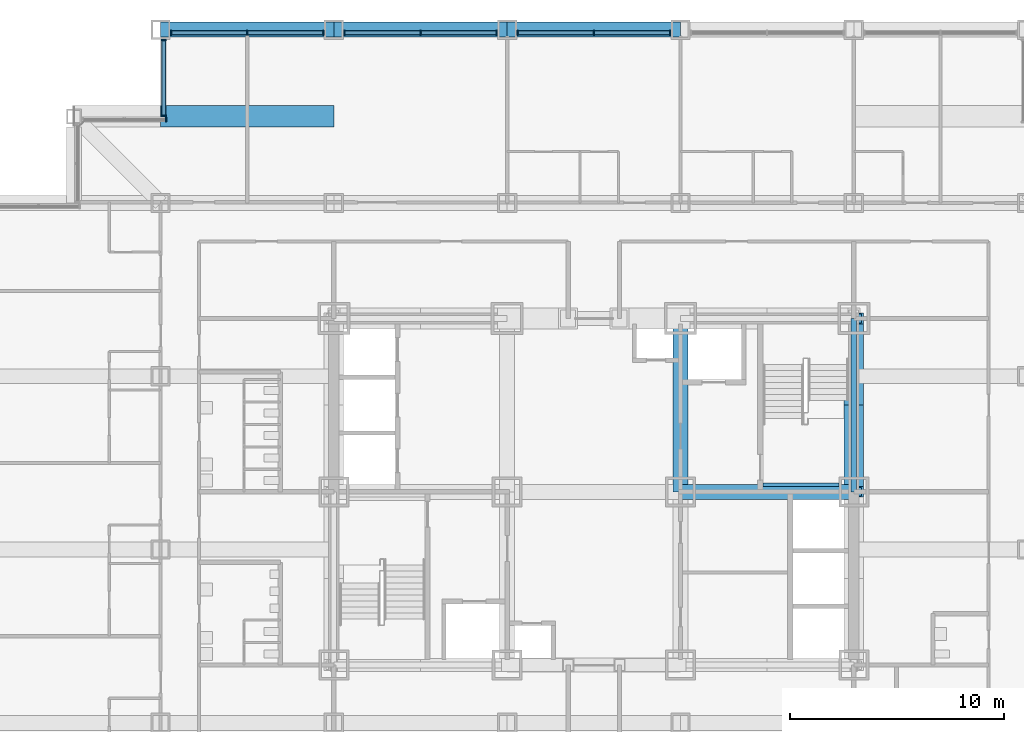
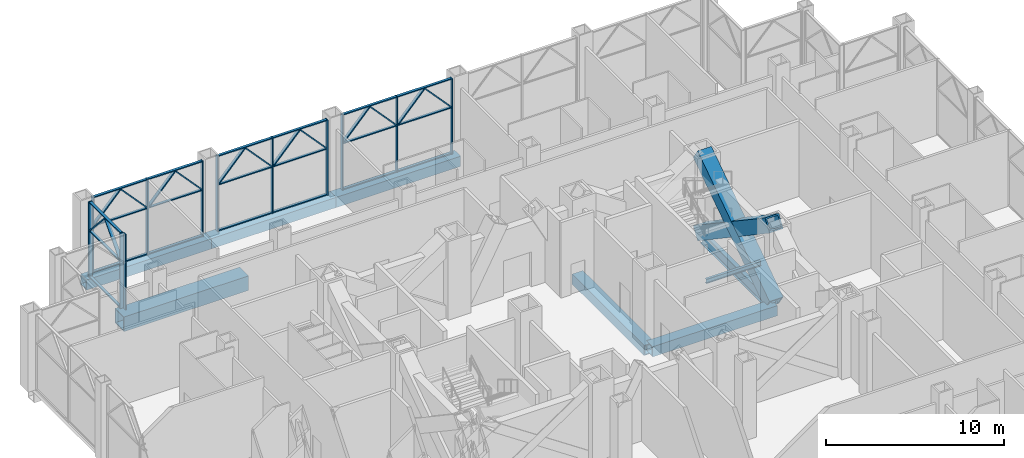
# One storey, part 7 of 26: 49 members, 8 beams, 5 elements without a shape of their own.
"""IFC4 building model written with IfcOpenShell, lengths in metres."""

from ifc_helpers import new_model, si_unit, direction, frame, origin, origin_2d, place, context, subcontext, project, spatial, rectangle, hollow_rectangle, i_section, extrude, material, material_profile, profile_set, type_object, element, aggregate, save


model = new_model("IFC4")

# Units and contexts
model_context = context("Model", 3, precision=1e-05, world=origin(), true_north=direction((0.0, 1.0)))
body_context = subcontext(model_context, "Body", "Model", "MODEL_VIEW")
ifc_project = project(units=[si_unit("LENGTHUNIT", "METRE"), si_unit("AREAUNIT", "SQUARE_METRE"), si_unit("VOLUMEUNIT", "CUBIC_METRE"), si_unit("PLANEANGLEUNIT", "RADIAN"), si_unit("MASSUNIT", "GRAM", prefix="KILO")], contexts=[model_context])

# Site, building, storey
site_placement = place(None, origin())
site = spatial("IfcSite", under=ifc_project, at=site_placement, CompositionType="ELEMENT")
building_placement = place(site_placement, origin())
building = spatial("IfcBuilding", under=site, at=building_placement, Name="Kopane Lantern Tower", CompositionType="ELEMENT")
storey_placement = place(building_placement, frame((0.0, 0.0, 98.0)))
storey = spatial("IfcBuildingStorey", under=building, at=storey_placement, Name="L24", CompositionType="ELEMENT", Elevation=98.0)

# Members
ifc_material_1 = material(Name="Steel S355JR", Category="steel")
ifc_material_profile_1 = material_profile(ifc_material_1, hollow_rectangle(XDim=0.89990234375, YDim=0.89990234375, WallThickness=0.090087890625, at=origin_2d()), Name="BOX 900x900x90")
ifc_profile_set_1 = profile_set([ifc_material_profile_1], Name="Steel S355JR")
member_type_1 = type_object("IfcMemberType", Name="BRACE BOX 900x900x90", PredefinedType="BRACE", material=ifc_profile_set_1)
for number, where, z_axis, x_axis, name in (
    (1, (40.5, 32.39990234375, -0.25), (0.0, 0.830159256911, 0.557526329571), (-1.0, 0.0, 0.0), "Core brace L24"),
    (2, (40.5, 40.5, -0.25), (0.0, -0.830159256911, 0.557526329571), (1.0, 0.0, 0.0), "Core brace L24"),
):
    element("IfcMember", number, at=place(storey_placement, frame(where, z_axis=z_axis, x_axis=x_axis)), inside=storey, type_object=member_type_1, Name=name, PredefinedType="BRACE", context=body_context, shape_type="SweptSolid", body=[
        extrude(hollow_rectangle(XDim=0.89990234375, YDim=0.89990234375, WallThickness=0.090087890625, at=origin_2d()), origin(), (0.0, 0.0, 1.0), 9.75732421875),
    ])

# Beams
ifc_material_2 = material(Name="Steel S355JR", Category="steel")
ifc_material_profile_2 = material_profile(ifc_material_2, hollow_rectangle(XDim=0.699951171875, YDim=0.699951171875, WallThickness=0.06005859375, at=origin_2d()), Name="BOX 700x700x60")
ifc_profile_set_2 = profile_set([ifc_material_profile_2], Name="Steel S355JR")
beam_type_1 = type_object("IfcBeamType", Name="CORE BEAM BOX 700x700x60", PredefinedType="BEAM", material=ifc_profile_set_2)
for number, where, z_axis, x_axis, name in (
    (3, (32.39990234375, 32.39990234375, -0.60009765625), (0.0, 1.0, 0.0), (-1.0, 0.0, 0.0), "Core Beam L24"),
    (4, (32.39990234375, 32.39990234375, -0.60009765625), (1.0, 0.0, 0.0), (0.0, 1.0, 0.0), "Core Beam L24"),
):
    element("IfcBeam", number, at=place(storey_placement, frame(where, z_axis=z_axis, x_axis=x_axis)), inside=storey, type_object=beam_type_1, Name=name, PredefinedType="BEAM", context=body_context, shape_type="SweptSolid", body=[
        extrude(hollow_rectangle(XDim=0.699951171875, YDim=0.699951171875, WallThickness=0.06005859375, at=origin_2d()), origin(), (0.0, 0.0, 1.0), 8.10009765625),
    ])
ifc_material_3 = material(Name="Steel S355JR", Category="steel")
ifc_material_profile_3 = material_profile(ifc_material_3, hollow_rectangle(XDim=0.699951171875, YDim=0.699951171875, WallThickness=0.06005859375, at=origin_2d()), Name="BOX 700x700x60")
ifc_profile_set_3 = profile_set([ifc_material_profile_3], Name="Steel S355JR")
beam_type_2 = type_object("IfcBeamType", Name="GIRDER BOX 700x700x60", PredefinedType="BEAM", material=ifc_profile_set_3)
beam_1_placement = place(storey_placement, frame((8.10009765625, 54.0, -0.60009765625), z_axis=(1.0, 0.0, 0.0), x_axis=(0.0, 1.0, 0.0)))
element("IfcBeam", 5, at=beam_1_placement, inside=storey, type_object=beam_type_2, Name="Girder L24", PredefinedType="BEAM", context=body_context, shape_type="SweptSolid", body=[
    extrude(hollow_rectangle(XDim=0.699951171875, YDim=0.699951171875, WallThickness=0.06005859375, at=origin_2d()), origin(), (0.0, 0.0, 1.0), 8.099853515625),
])
beam_2_placement = place(storey_placement, frame((16.199951171875, 54.0, -0.60009765625), z_axis=(1.0, 0.0, 0.0), x_axis=(0.0, 1.0, 0.0)))
element("IfcBeam", 6, at=beam_2_placement, inside=storey, type_object=beam_type_2, Name="Girder L24", PredefinedType="BEAM", context=body_context, shape_type="SweptSolid", body=[
    extrude(hollow_rectangle(XDim=0.699951171875, YDim=0.699951171875, WallThickness=0.06005859375, at=origin_2d()), origin(), (0.0, 0.0, 1.0), 8.10009765625),
])
beam_3_placement = place(storey_placement, frame((24.300048828125, 54.0, -0.60009765625), z_axis=(1.0, 0.0, 0.0), x_axis=(0.0, 1.0, 0.0)))
element("IfcBeam", 7, at=beam_3_placement, inside=storey, type_object=beam_type_2, Name="Girder L24", PredefinedType="BEAM", context=body_context, shape_type="SweptSolid", body=[
    extrude(hollow_rectangle(XDim=0.699951171875, YDim=0.699951171875, WallThickness=0.06005859375, at=origin_2d()), origin(), (0.0, 0.0, 1.0), 8.099853515625),
])
ifc_material_4 = material(Name="Steel S355JR", Category="steel")
ifc_material_profile_4 = material_profile(ifc_material_4, i_section(OverallWidth=0.2666015625, OverallDepth=0.76220703125, WebThickness=0.014404296875, FlangeThickness=0.021484375, FilletRadius=0.0166015625, at=origin_2d()), Name="UB 762x267x173")
ifc_profile_set_4 = profile_set([ifc_material_profile_4], Name="Steel S355JR")
beam_type_3 = type_object("IfcBeamType", Name="GIRDER UB 762x267x173", PredefinedType="BEAM", material=ifc_profile_set_4)
beam_4_placement = place(storey_placement, frame((40.5, 32.39990234375, -0.631103515625), z_axis=(0.0, 1.0, 0.0), x_axis=(-1.0, 0.0, 0.0)))
element("IfcBeam", 8, at=beam_4_placement, inside=storey, type_object=beam_type_3, Name="Girder L24", PredefinedType="BEAM", context=body_context, shape_type="SweptSolid", body=[
    extrude(i_section(OverallWidth=0.2666015625, OverallDepth=0.76220703125, WebThickness=0.014404296875, FlangeThickness=0.021484375, FilletRadius=0.0166015625, at=origin_2d()), origin(), (0.0, 0.0, 1.0), 8.10009765625),
])

# Curtain wall, members
ifc_material_5 = material(Name="Aluminium and clear glass", Category="aluminium")
curtain_wall_type = type_object("IfcCurtainWallType", Name="CURTAIN WALL CW3 SKY LOBBY", PredefinedType="USERDEFINED", material=ifc_material_5)
curtain_wall_1_placement = place(storey_placement, origin())
curtain_wall_1 = element("IfcCurtainWall", 9, at=curtain_wall_1_placement, inside=storey, type_object=curtain_wall_type, Name="Curtain wall CW3 N L24", ObjectType="CURTAIN WALL", PredefinedType="USERDEFINED")
ifc_material_6 = material(Name="Aluminium", Category="aluminium")
ifc_material_profile_5 = material_profile(ifc_material_6, rectangle(XDim=0.070068359375, YDim=0.22509765625, at=origin_2d()), Name="AL 70x225")
ifc_profile_set_5 = profile_set([ifc_material_profile_5], Name="Aluminium")
member_type_2 = type_object("IfcMemberType", Name="MULLION CW3-M 70x225", PredefinedType="MULLION", material=ifc_profile_set_5)
member_1_placement = place(storey_placement, frame((31.909912109375, 53.85009765625, 0.0), z_axis=(0.0, 0.0, 1.0), x_axis=(-1.0, 0.0, 0.0)))
member_1 = element("IfcMember", 10, at=member_1_placement, type_object=member_type_2, Name="CW3 mullion 1", PredefinedType="MULLION", context=body_context, shape_type="SweptSolid", body=[
    extrude(rectangle(XDim=0.070068359375, YDim=0.22509765625, at=origin_2d()), origin(), (0.0, 0.0, 1.0), 5.18994140625),
])
member_2_placement = place(storey_placement, frame((28.35009765625, 53.85009765625, 0.0), z_axis=(0.0, 0.0, 1.0), x_axis=(-1.0, 0.0, 0.0)))
member_2 = element("IfcMember", 11, at=member_2_placement, type_object=member_type_2, Name="CW3 mullion 2", PredefinedType="MULLION", context=body_context, shape_type="SweptSolid", body=[
    extrude(rectangle(XDim=0.070068359375, YDim=0.22509765625, at=origin_2d()), origin(), (0.0, 0.0, 1.0), 5.18994140625),
])
member_3_placement = place(storey_placement, frame((24.7900390625, 53.85009765625, 0.0), z_axis=(0.0, 0.0, 1.0), x_axis=(-1.0, 0.0, 0.0)))
member_3 = element("IfcMember", 12, at=member_3_placement, type_object=member_type_2, Name="CW3 mullion 3", PredefinedType="MULLION", context=body_context, shape_type="SweptSolid", body=[
    extrude(rectangle(XDim=0.070068359375, YDim=0.22509765625, at=origin_2d()), origin(), (0.0, 0.0, 1.0), 5.18994140625),
])
member_4_placement = place(storey_placement, frame((31.84912109375, 53.85009765625, 3.24853515625), z_axis=(-0.675605527519, 0.0, 0.737263298413), x_axis=(0.737263298413, 0.0, 0.675605527519)))
member_4 = element("IfcMember", 13, at=member_4_placement, type_object=member_type_2, Name="CW3 lancet mullion 1L", PredefinedType="MULLION", context=body_context, shape_type="SweptSolid", body=[
    extrude(rectangle(XDim=0.070068359375, YDim=0.22509765625, at=origin_2d()), origin(), (0.0, 0.0, 1.0), 2.50634765625),
])
member_5_placement = place(storey_placement, frame((28.410888671875, 53.85009765625, 3.24853515625), z_axis=(0.675605527519, 0.0, 0.737263298413), x_axis=(-0.737263298413, 0.0, 0.675605527519)))
member_5 = element("IfcMember", 14, at=member_5_placement, type_object=member_type_2, Name="CW3 lancet mullion 1R", PredefinedType="MULLION", context=body_context, shape_type="SweptSolid", body=[
    extrude(rectangle(XDim=0.070068359375, YDim=0.22509765625, at=origin_2d()), origin(), (0.0, 0.0, 1.0), 2.50634765625),
])
member_6_placement = place(storey_placement, frame((28.289306640625, 53.85009765625, 3.24853515625), z_axis=(-0.675658467828, 0.0, 0.737214782036), x_axis=(0.737214782036, 0.0, 0.675658467828)))
member_6 = element("IfcMember", 15, at=member_6_placement, type_object=member_type_2, Name="CW3 lancet mullion 2L", PredefinedType="MULLION", context=body_context, shape_type="SweptSolid", body=[
    extrude(rectangle(XDim=0.070068359375, YDim=0.22509765625, at=origin_2d()), origin(), (0.0, 0.0, 1.0), 2.506591796875),
])
member_7_placement = place(storey_placement, frame((24.850830078125, 53.85009765625, 3.24853515625), z_axis=(0.675605527519, 0.0, 0.737263298413), x_axis=(-0.737263298413, 0.0, 0.675605527519)))
member_7 = element("IfcMember", 16, at=member_7_placement, type_object=member_type_2, Name="CW3 lancet mullion 2R", PredefinedType="MULLION", context=body_context, shape_type="SweptSolid", body=[
    extrude(rectangle(XDim=0.070068359375, YDim=0.22509765625, at=origin_2d()), origin(), (0.0, 0.0, 1.0), 2.50634765625),
])

curtain_wall_2_placement = place(storey_placement, origin())
curtain_wall_2 = element("IfcCurtainWall", 17, at=curtain_wall_2_placement, inside=storey, type_object=curtain_wall_type, Name="Curtain wall CW3 N L24", ObjectType="CURTAIN WALL", PredefinedType="USERDEFINED")
member_8_placement = place(storey_placement, frame((23.81005859375, 53.85009765625, 0.0), z_axis=(0.0, 0.0, 1.0), x_axis=(-1.0, 0.0, 0.0)))
member_8 = element("IfcMember", 18, at=member_8_placement, type_object=member_type_2, Name="CW3 mullion 1", PredefinedType="MULLION", context=body_context, shape_type="SweptSolid", body=[
    extrude(rectangle(XDim=0.070068359375, YDim=0.22509765625, at=origin_2d()), origin(), (0.0, 0.0, 1.0), 5.18994140625),
])
member_9_placement = place(storey_placement, frame((20.25, 53.85009765625, 0.0), z_axis=(0.0, 0.0, 1.0), x_axis=(-1.0, 0.0, 0.0)))
member_9 = element("IfcMember", 19, at=member_9_placement, type_object=member_type_2, Name="CW3 mullion 2", PredefinedType="MULLION", context=body_context, shape_type="SweptSolid", body=[
    extrude(rectangle(XDim=0.070068359375, YDim=0.22509765625, at=origin_2d()), origin(), (0.0, 0.0, 1.0), 5.18994140625),
])
member_10_placement = place(storey_placement, frame((16.68994140625, 53.85009765625, 0.0), z_axis=(0.0, 0.0, 1.0), x_axis=(-1.0, 0.0, 0.0)))
member_10 = element("IfcMember", 20, at=member_10_placement, type_object=member_type_2, Name="CW3 mullion 3", PredefinedType="MULLION", context=body_context, shape_type="SweptSolid", body=[
    extrude(rectangle(XDim=0.070068359375, YDim=0.22509765625, at=origin_2d()), origin(), (0.0, 0.0, 1.0), 5.18994140625),
])
member_11_placement = place(storey_placement, frame((23.749267578125, 53.85009765625, 3.24853515625), z_axis=(-0.675605527519, 0.0, 0.737263298413), x_axis=(0.737263298413, 0.0, 0.675605527519)))
member_11 = element("IfcMember", 21, at=member_11_placement, type_object=member_type_2, Name="CW3 lancet mullion 1L", PredefinedType="MULLION", context=body_context, shape_type="SweptSolid", body=[
    extrude(rectangle(XDim=0.070068359375, YDim=0.22509765625, at=origin_2d()), origin(), (0.0, 0.0, 1.0), 2.50634765625),
])
member_12_placement = place(storey_placement, frame((20.310791015625, 53.85009765625, 3.24853515625), z_axis=(0.675605527519, 0.0, 0.737263298413), x_axis=(-0.737263298413, 0.0, 0.675605527519)))
member_12 = element("IfcMember", 22, at=member_12_placement, type_object=member_type_2, Name="CW3 lancet mullion 1R", PredefinedType="MULLION", context=body_context, shape_type="SweptSolid", body=[
    extrude(rectangle(XDim=0.070068359375, YDim=0.22509765625, at=origin_2d()), origin(), (0.0, 0.0, 1.0), 2.50634765625),
])
member_13_placement = place(storey_placement, frame((20.189208984375, 53.85009765625, 3.24853515625), z_axis=(-0.675605527519, 0.0, 0.737263298413), x_axis=(0.737263298413, 0.0, 0.675605527519)))
member_13 = element("IfcMember", 23, at=member_13_placement, type_object=member_type_2, Name="CW3 lancet mullion 2L", PredefinedType="MULLION", context=body_context, shape_type="SweptSolid", body=[
    extrude(rectangle(XDim=0.070068359375, YDim=0.22509765625, at=origin_2d()), origin(), (0.0, 0.0, 1.0), 2.50634765625),
])
member_14_placement = place(storey_placement, frame((16.750732421875, 53.85009765625, 3.24853515625), z_axis=(0.675605527519, 0.0, 0.737263298413), x_axis=(-0.737263298413, 0.0, 0.675605527519)))
member_14 = element("IfcMember", 24, at=member_14_placement, type_object=member_type_2, Name="CW3 lancet mullion 2R", PredefinedType="MULLION", context=body_context, shape_type="SweptSolid", body=[
    extrude(rectangle(XDim=0.070068359375, YDim=0.22509765625, at=origin_2d()), origin(), (0.0, 0.0, 1.0), 2.50634765625),
])

curtain_wall_3_placement = place(storey_placement, origin())
curtain_wall_3 = element("IfcCurtainWall", 25, at=curtain_wall_3_placement, inside=storey, type_object=curtain_wall_type, Name="Curtain wall CW3 N L24", ObjectType="CURTAIN WALL", PredefinedType="USERDEFINED")
member_15_placement = place(storey_placement, frame((15.7099609375, 53.85009765625, 0.0), z_axis=(0.0, 0.0, 1.0), x_axis=(-1.0, 0.0, 0.0)))
member_15 = element("IfcMember", 26, at=member_15_placement, type_object=member_type_2, Name="CW3 mullion 1", PredefinedType="MULLION", context=body_context, shape_type="SweptSolid", body=[
    extrude(rectangle(XDim=0.070068359375, YDim=0.22509765625, at=origin_2d()), origin(), (0.0, 0.0, 1.0), 5.18994140625),
])
member_16_placement = place(storey_placement, frame((12.14990234375, 53.85009765625, 0.0), z_axis=(0.0, 0.0, 1.0), x_axis=(-1.0, 0.0, 0.0)))
member_16 = element("IfcMember", 27, at=member_16_placement, type_object=member_type_2, Name="CW3 mullion 2", PredefinedType="MULLION", context=body_context, shape_type="SweptSolid", body=[
    extrude(rectangle(XDim=0.070068359375, YDim=0.22509765625, at=origin_2d()), origin(), (0.0, 0.0, 1.0), 5.18994140625),
])
member_17_placement = place(storey_placement, frame((8.590087890625, 53.85009765625, 0.0), z_axis=(0.0, 0.0, 1.0), x_axis=(-1.0, 0.0, 0.0)))
member_17 = element("IfcMember", 28, at=member_17_placement, type_object=member_type_2, Name="CW3 mullion 3", PredefinedType="MULLION", context=body_context, shape_type="SweptSolid", body=[
    extrude(rectangle(XDim=0.070068359375, YDim=0.22509765625, at=origin_2d()), origin(), (0.0, 0.0, 1.0), 5.18994140625),
])
member_18_placement = place(storey_placement, frame((15.649169921875, 53.85009765625, 3.24853515625), z_axis=(-0.675605527519, 0.0, 0.737263298413), x_axis=(0.737263298413, 0.0, 0.675605527519)))
member_18 = element("IfcMember", 29, at=member_18_placement, type_object=member_type_2, Name="CW3 lancet mullion 1L", PredefinedType="MULLION", context=body_context, shape_type="SweptSolid", body=[
    extrude(rectangle(XDim=0.070068359375, YDim=0.22509765625, at=origin_2d()), origin(), (0.0, 0.0, 1.0), 2.50634765625),
])
member_19_placement = place(storey_placement, frame((12.210693359375, 53.85009765625, 3.24853515625), z_axis=(0.675658467828, 0.0, 0.737214782036), x_axis=(-0.737214782036, 0.0, 0.675658467828)))
member_19 = element("IfcMember", 30, at=member_19_placement, type_object=member_type_2, Name="CW3 lancet mullion 1R", PredefinedType="MULLION", context=body_context, shape_type="SweptSolid", body=[
    extrude(rectangle(XDim=0.070068359375, YDim=0.22509765625, at=origin_2d()), origin(), (0.0, 0.0, 1.0), 2.506591796875),
])
member_20_placement = place(storey_placement, frame((12.089111328125, 53.85009765625, 3.24853515625), z_axis=(-0.675605527519, 0.0, 0.737263298413), x_axis=(0.737263298413, 0.0, 0.675605527519)))
member_20 = element("IfcMember", 31, at=member_20_placement, type_object=member_type_2, Name="CW3 lancet mullion 2L", PredefinedType="MULLION", context=body_context, shape_type="SweptSolid", body=[
    extrude(rectangle(XDim=0.070068359375, YDim=0.22509765625, at=origin_2d()), origin(), (0.0, 0.0, 1.0), 2.50634765625),
])
member_21_placement = place(storey_placement, frame((8.65087890625, 53.85009765625, 3.24853515625), z_axis=(0.675605527519, 0.0, 0.737263298413), x_axis=(-0.737263298413, 0.0, 0.675605527519)))
member_21 = element("IfcMember", 32, at=member_21_placement, type_object=member_type_2, Name="CW3 lancet mullion 2R", PredefinedType="MULLION", context=body_context, shape_type="SweptSolid", body=[
    extrude(rectangle(XDim=0.070068359375, YDim=0.22509765625, at=origin_2d()), origin(), (0.0, 0.0, 1.0), 2.50634765625),
])

curtain_wall_4_placement = place(storey_placement, origin())
curtain_wall_4 = element("IfcCurtainWall", 33, at=curtain_wall_4_placement, inside=storey, type_object=curtain_wall_type, Name="Curtain wall CW3 W L24", ObjectType="CURTAIN WALL", PredefinedType="USERDEFINED")
member_22_placement = place(storey_placement, frame((8.25, 53.510009765625, 0.0), z_axis=(0.0, 0.0, 1.0), x_axis=(0.0, -1.0, 0.0)))
member_22 = element("IfcMember", 34, at=member_22_placement, type_object=member_type_2, Name="CW3 mullion 1", PredefinedType="MULLION", context=body_context, shape_type="SweptSolid", body=[
    extrude(rectangle(XDim=0.070068359375, YDim=0.22509765625, at=origin_2d()), origin(), (0.0, 0.0, 1.0), 5.18994140625),
])
member_23_placement = place(storey_placement, frame((8.25, 49.985107421875, 0.0), z_axis=(0.0, 0.0, 1.0), x_axis=(0.0, -1.0, 0.0)))
member_23 = element("IfcMember", 35, at=member_23_placement, type_object=member_type_2, Name="CW3 mullion 2", PredefinedType="MULLION", context=body_context, shape_type="SweptSolid", body=[
    extrude(rectangle(XDim=0.070068359375, YDim=0.22509765625, at=origin_2d()), origin(), (0.0, 0.0, 1.0), 5.18994140625),
])
member_24_placement = place(storey_placement, frame((8.25, 53.44921875, 3.24853515625), z_axis=(0.0, -0.671766235341, 0.740763204443), x_axis=(0.0, 0.740763204443, 0.671766235341)))
member_24 = element("IfcMember", 36, at=member_24_placement, type_object=member_type_2, Name="CW3 lancet mullion 1L", PredefinedType="MULLION", context=body_context, shape_type="SweptSolid", body=[
    extrude(rectangle(XDim=0.070068359375, YDim=0.22509765625, at=origin_2d()), origin(), (0.0, 0.0, 1.0), 2.49462890625),
])
member_25_placement = place(storey_placement, frame((8.25, 50.0458984375, 3.24853515625), z_axis=(0.0, 0.671766235341, 0.740763204443), x_axis=(0.0, -0.740763204443, 0.671766235341)))
member_25 = element("IfcMember", 37, at=member_25_placement, type_object=member_type_2, Name="CW3 lancet mullion 1R", PredefinedType="MULLION", context=body_context, shape_type="SweptSolid", body=[
    extrude(rectangle(XDim=0.070068359375, YDim=0.22509765625, at=origin_2d()), origin(), (0.0, 0.0, 1.0), 2.49462890625),
])

# Curtain wall, member
curtain_wall_5_placement = place(storey_placement, origin())
curtain_wall_5 = element("IfcCurtainWall", 38, at=curtain_wall_5_placement, inside=storey, type_object=curtain_wall_type, Name="Curtain wall CW3 N L24", ObjectType="CURTAIN WALL", PredefinedType="USERDEFINED")
member_26_placement = place(storey_placement, frame((8.364990234375, 49.800048828125, 0.0), z_axis=(0.0, 0.0, 1.0), x_axis=(-1.0, 0.0, 0.0)))
member_26 = element("IfcMember", 39, at=member_26_placement, type_object=member_type_2, Name="CW3 mullion 1", PredefinedType="MULLION", context=body_context, shape_type="SweptSolid", body=[
    extrude(rectangle(XDim=0.070068359375, YDim=0.22509765625, at=origin_2d()), origin(), (0.0, 0.0, 1.0), 5.18994140625),
])
aggregate(curtain_wall_5, [member_26])

# Beams
ifc_material_7 = material(Name="Steel S355JR", Category="steel")
ifc_material_profile_6 = material_profile(ifc_material_7, i_section(OverallWidth=0.1650390625, OverallDepth=0.303466796875, WebThickness=0.006103515625, FlangeThickness=0.01025390625, FilletRadius=0.0087890625, at=origin_2d()), Name="UB 305x165x40")
ifc_profile_set_6 = profile_set([ifc_material_profile_6], Name="Steel S355JR")
beam_type_4 = type_object("IfcBeamType", Name="STAIR LANDING BEAM UB 305x165x40", PredefinedType="BEAM", material=ifc_profile_set_6)
beam_5_placement = place(storey_placement, frame((39.800048828125, 32.732421875, 2.51708984375), z_axis=(-1.0, 0.0, 0.0), x_axis=(0.0, -1.0, 0.0)))
element("IfcBeam", 40, at=beam_5_placement, inside=storey, type_object=beam_type_4, Name="Stair landing beam ST2 L24", PredefinedType="BEAM", context=body_context, shape_type="SweptSolid", body=[
    extrude(i_section(OverallWidth=0.1650390625, OverallDepth=0.303466796875, WebThickness=0.006103515625, FlangeThickness=0.01025390625, FilletRadius=0.0087890625, at=origin_2d()), origin(), (0.0, 0.0, 1.0), 3.550048828125),
])
ifc_material_8 = material(Name="Steel S355JR", Category="steel")
ifc_material_profile_7 = material_profile(ifc_material_8, hollow_rectangle(XDim=1.0, YDim=1.0, WallThickness=0.06005859375, at=origin_2d()), Name="BOX 1000x1000x60")
ifc_profile_set_7 = profile_set([ifc_material_profile_7], Name="Steel S355JR")
beam_type_5 = type_object("IfcBeamType", Name="TRANSFER BEAM BOX 1000x1000x60", PredefinedType="BEAM", material=ifc_profile_set_7)
beam_6_placement = place(storey_placement, frame((8.10009765625, 49.949951171875, -0.75), z_axis=(1.0, 0.0, 0.0), x_axis=(0.0, 1.0, 0.0)))
element("IfcBeam", 41, at=beam_6_placement, inside=storey, type_object=beam_type_5, Name="Transfer Beam L24", PredefinedType="BEAM", context=body_context, shape_type="SweptSolid", body=[
    extrude(hollow_rectangle(XDim=1.0, YDim=1.0, WallThickness=0.06005859375, at=origin_2d()), origin(), (0.0, 0.0, 1.0), 8.099853515625),
])

# Member
ifc_material_9 = material(Name="Aluminium", Category="aluminium")
ifc_material_profile_8 = material_profile(ifc_material_9, rectangle(XDim=0.159912109375, YDim=0.070068359375, at=origin_2d()), Name="AL 160x70")
ifc_profile_set_8 = profile_set([ifc_material_profile_8], Name="Aluminium")
member_type_3 = type_object("IfcMemberType", Name="TRANSOM CW3-T 70x160", PredefinedType="USERDEFINED", material=ifc_profile_set_8)
member_27_placement = place(storey_placement, frame((31.875, 53.85009765625, 0.034912109375), z_axis=(-1.0, 0.0, 0.0), x_axis=(0.0, -1.0, 0.0)))
member_27 = element("IfcMember", 42, at=member_27_placement, type_object=member_type_3, Name="CW3 transom 1.1", ObjectType="TRANSOM", PredefinedType="USERDEFINED", context=body_context, shape_type="SweptSolid", body=[
    extrude(rectangle(XDim=0.159912109375, YDim=0.070068359375, at=origin_2d()), origin(), (0.0, 0.0, 1.0), 3.489990234375),
])

member_28_placement = place(storey_placement, frame((31.875, 53.85009765625, 3.18994140625), z_axis=(-1.0, 0.0, 0.0), x_axis=(0.0, -1.0, 0.0)))
member_28 = element("IfcMember", 43, at=member_28_placement, type_object=member_type_3, Name="CW3 transom 1.2", ObjectType="TRANSOM", PredefinedType="USERDEFINED", context=body_context, shape_type="SweptSolid", body=[
    extrude(rectangle(XDim=0.159912109375, YDim=0.070068359375, at=origin_2d()), origin(), (0.0, 0.0, 1.0), 3.489990234375),
])

member_29_placement = place(storey_placement, frame((31.875, 53.85009765625, 5.155029296875), z_axis=(-1.0, 0.0, 0.0), x_axis=(0.0, -1.0, 0.0)))
member_29 = element("IfcMember", 44, at=member_29_placement, type_object=member_type_3, Name="CW3 transom 1.3", ObjectType="TRANSOM", PredefinedType="USERDEFINED", context=body_context, shape_type="SweptSolid", body=[
    extrude(rectangle(XDim=0.159912109375, YDim=0.070068359375, at=origin_2d()), origin(), (0.0, 0.0, 1.0), 3.489990234375),
])

member_30_placement = place(storey_placement, frame((28.31494140625, 53.85009765625, 0.034912109375), z_axis=(-1.0, 0.0, 0.0), x_axis=(0.0, -1.0, 0.0)))
member_30 = element("IfcMember", 45, at=member_30_placement, type_object=member_type_3, Name="CW3 transom 2.1", ObjectType="TRANSOM", PredefinedType="USERDEFINED", context=body_context, shape_type="SweptSolid", body=[
    extrude(rectangle(XDim=0.159912109375, YDim=0.070068359375, at=origin_2d()), origin(), (0.0, 0.0, 1.0), 3.489990234375),
])

member_31_placement = place(storey_placement, frame((28.31494140625, 53.85009765625, 3.18994140625), z_axis=(-1.0, 0.0, 0.0), x_axis=(0.0, -1.0, 0.0)))
member_31 = element("IfcMember", 46, at=member_31_placement, type_object=member_type_3, Name="CW3 transom 2.2", ObjectType="TRANSOM", PredefinedType="USERDEFINED", context=body_context, shape_type="SweptSolid", body=[
    extrude(rectangle(XDim=0.159912109375, YDim=0.070068359375, at=origin_2d()), origin(), (0.0, 0.0, 1.0), 3.489990234375),
])

member_32_placement = place(storey_placement, frame((28.31494140625, 53.85009765625, 5.155029296875), z_axis=(-1.0, 0.0, 0.0), x_axis=(0.0, -1.0, 0.0)))
member_32 = element("IfcMember", 47, at=member_32_placement, type_object=member_type_3, Name="CW3 transom 2.3", ObjectType="TRANSOM", PredefinedType="USERDEFINED", context=body_context, shape_type="SweptSolid", body=[
    extrude(rectangle(XDim=0.159912109375, YDim=0.070068359375, at=origin_2d()), origin(), (0.0, 0.0, 1.0), 3.489990234375),
])

aggregate(curtain_wall_1, [member_1, member_2, member_3, member_27, member_28, member_29, member_30, member_31, member_32, member_4, member_5, member_6, member_7])

member_33_placement = place(storey_placement, frame((23.77490234375, 53.85009765625, 0.034912109375), z_axis=(-1.0, 0.0, 0.0), x_axis=(0.0, -1.0, 0.0)))
member_33 = element("IfcMember", 48, at=member_33_placement, type_object=member_type_3, Name="CW3 transom 1.1", ObjectType="TRANSOM", PredefinedType="USERDEFINED", context=body_context, shape_type="SweptSolid", body=[
    extrude(rectangle(XDim=0.159912109375, YDim=0.070068359375, at=origin_2d()), origin(), (0.0, 0.0, 1.0), 3.489990234375),
])

member_34_placement = place(storey_placement, frame((23.77490234375, 53.85009765625, 3.18994140625), z_axis=(-1.0, 0.0, 0.0), x_axis=(0.0, -1.0, 0.0)))
member_34 = element("IfcMember", 49, at=member_34_placement, type_object=member_type_3, Name="CW3 transom 1.2", ObjectType="TRANSOM", PredefinedType="USERDEFINED", context=body_context, shape_type="SweptSolid", body=[
    extrude(rectangle(XDim=0.159912109375, YDim=0.070068359375, at=origin_2d()), origin(), (0.0, 0.0, 1.0), 3.489990234375),
])

member_35_placement = place(storey_placement, frame((23.77490234375, 53.85009765625, 5.155029296875), z_axis=(-1.0, 0.0, 0.0), x_axis=(0.0, -1.0, 0.0)))
member_35 = element("IfcMember", 50, at=member_35_placement, type_object=member_type_3, Name="CW3 transom 1.3", ObjectType="TRANSOM", PredefinedType="USERDEFINED", context=body_context, shape_type="SweptSolid", body=[
    extrude(rectangle(XDim=0.159912109375, YDim=0.070068359375, at=origin_2d()), origin(), (0.0, 0.0, 1.0), 3.489990234375),
])

member_36_placement = place(storey_placement, frame((20.215087890625, 53.85009765625, 0.034912109375), z_axis=(-1.0, 0.0, 0.0), x_axis=(0.0, -1.0, 0.0)))
member_36 = element("IfcMember", 51, at=member_36_placement, type_object=member_type_3, Name="CW3 transom 2.1", ObjectType="TRANSOM", PredefinedType="USERDEFINED", context=body_context, shape_type="SweptSolid", body=[
    extrude(rectangle(XDim=0.159912109375, YDim=0.070068359375, at=origin_2d()), origin(), (0.0, 0.0, 1.0), 3.489990234375),
])

member_37_placement = place(storey_placement, frame((20.215087890625, 53.85009765625, 3.18994140625), z_axis=(-1.0, 0.0, 0.0), x_axis=(0.0, -1.0, 0.0)))
member_37 = element("IfcMember", 52, at=member_37_placement, type_object=member_type_3, Name="CW3 transom 2.2", ObjectType="TRANSOM", PredefinedType="USERDEFINED", context=body_context, shape_type="SweptSolid", body=[
    extrude(rectangle(XDim=0.159912109375, YDim=0.070068359375, at=origin_2d()), origin(), (0.0, 0.0, 1.0), 3.489990234375),
])

member_38_placement = place(storey_placement, frame((20.215087890625, 53.85009765625, 5.155029296875), z_axis=(-1.0, 0.0, 0.0), x_axis=(0.0, -1.0, 0.0)))
member_38 = element("IfcMember", 53, at=member_38_placement, type_object=member_type_3, Name="CW3 transom 2.3", ObjectType="TRANSOM", PredefinedType="USERDEFINED", context=body_context, shape_type="SweptSolid", body=[
    extrude(rectangle(XDim=0.159912109375, YDim=0.070068359375, at=origin_2d()), origin(), (0.0, 0.0, 1.0), 3.489990234375),
])

aggregate(curtain_wall_2, [member_8, member_9, member_10, member_33, member_34, member_35, member_36, member_37, member_38, member_11, member_12, member_13, member_14])

member_39_placement = place(storey_placement, frame((15.675048828125, 53.85009765625, 0.034912109375), z_axis=(-1.0, 0.0, 0.0), x_axis=(0.0, -1.0, 0.0)))
member_39 = element("IfcMember", 54, at=member_39_placement, type_object=member_type_3, Name="CW3 transom 1.1", ObjectType="TRANSOM", PredefinedType="USERDEFINED", context=body_context, shape_type="SweptSolid", body=[
    extrude(rectangle(XDim=0.159912109375, YDim=0.070068359375, at=origin_2d()), origin(), (0.0, 0.0, 1.0), 3.489990234375),
])

member_40_placement = place(storey_placement, frame((15.675048828125, 53.85009765625, 3.18994140625), z_axis=(-1.0, 0.0, 0.0), x_axis=(0.0, -1.0, 0.0)))
member_40 = element("IfcMember", 55, at=member_40_placement, type_object=member_type_3, Name="CW3 transom 1.2", ObjectType="TRANSOM", PredefinedType="USERDEFINED", context=body_context, shape_type="SweptSolid", body=[
    extrude(rectangle(XDim=0.159912109375, YDim=0.070068359375, at=origin_2d()), origin(), (0.0, 0.0, 1.0), 3.489990234375),
])

member_41_placement = place(storey_placement, frame((15.675048828125, 53.85009765625, 5.155029296875), z_axis=(-1.0, 0.0, 0.0), x_axis=(0.0, -1.0, 0.0)))
member_41 = element("IfcMember", 56, at=member_41_placement, type_object=member_type_3, Name="CW3 transom 1.3", ObjectType="TRANSOM", PredefinedType="USERDEFINED", context=body_context, shape_type="SweptSolid", body=[
    extrude(rectangle(XDim=0.159912109375, YDim=0.070068359375, at=origin_2d()), origin(), (0.0, 0.0, 1.0), 3.489990234375),
])

member_42_placement = place(storey_placement, frame((12.114990234375, 53.85009765625, 0.034912109375), z_axis=(-1.0, 0.0, 0.0), x_axis=(0.0, -1.0, 0.0)))
member_42 = element("IfcMember", 57, at=member_42_placement, type_object=member_type_3, Name="CW3 transom 2.1", ObjectType="TRANSOM", PredefinedType="USERDEFINED", context=body_context, shape_type="SweptSolid", body=[
    extrude(rectangle(XDim=0.159912109375, YDim=0.070068359375, at=origin_2d()), origin(), (0.0, 0.0, 1.0), 3.489990234375),
])

member_43_placement = place(storey_placement, frame((12.114990234375, 53.85009765625, 3.18994140625), z_axis=(-1.0, 0.0, 0.0), x_axis=(0.0, -1.0, 0.0)))
member_43 = element("IfcMember", 58, at=member_43_placement, type_object=member_type_3, Name="CW3 transom 2.2", ObjectType="TRANSOM", PredefinedType="USERDEFINED", context=body_context, shape_type="SweptSolid", body=[
    extrude(rectangle(XDim=0.159912109375, YDim=0.070068359375, at=origin_2d()), origin(), (0.0, 0.0, 1.0), 3.489990234375),
])

member_44_placement = place(storey_placement, frame((12.114990234375, 53.85009765625, 5.155029296875), z_axis=(-1.0, 0.0, 0.0), x_axis=(0.0, -1.0, 0.0)))
member_44 = element("IfcMember", 59, at=member_44_placement, type_object=member_type_3, Name="CW3 transom 2.3", ObjectType="TRANSOM", PredefinedType="USERDEFINED", context=body_context, shape_type="SweptSolid", body=[
    extrude(rectangle(XDim=0.159912109375, YDim=0.070068359375, at=origin_2d()), origin(), (0.0, 0.0, 1.0), 3.489990234375),
])

aggregate(curtain_wall_3, [member_15, member_16, member_17, member_39, member_40, member_41, member_42, member_43, member_44, member_18, member_19, member_20, member_21])

member_45_placement = place(storey_placement, frame((8.25, 53.47509765625, 0.034912109375), z_axis=(0.0, -1.0, 0.0), x_axis=(1.0, 0.0, 0.0)))
member_45 = element("IfcMember", 60, at=member_45_placement, type_object=member_type_3, Name="CW3 transom 1.1", ObjectType="TRANSOM", PredefinedType="USERDEFINED", context=body_context, shape_type="SweptSolid", body=[
    extrude(rectangle(XDim=0.159912109375, YDim=0.070068359375, at=origin_2d()), origin(), (0.0, 0.0, 1.0), 3.455078125),
])

member_46_placement = place(storey_placement, frame((8.25, 53.47509765625, 3.18994140625), z_axis=(0.0, -1.0, 0.0), x_axis=(1.0, 0.0, 0.0)))
member_46 = element("IfcMember", 61, at=member_46_placement, type_object=member_type_3, Name="CW3 transom 1.2", ObjectType="TRANSOM", PredefinedType="USERDEFINED", context=body_context, shape_type="SweptSolid", body=[
    extrude(rectangle(XDim=0.159912109375, YDim=0.070068359375, at=origin_2d()), origin(), (0.0, 0.0, 1.0), 3.455078125),
])

member_47_placement = place(storey_placement, frame((8.25, 53.47509765625, 5.155029296875), z_axis=(0.0, -1.0, 0.0), x_axis=(1.0, 0.0, 0.0)))
member_47 = element("IfcMember", 62, at=member_47_placement, type_object=member_type_3, Name="CW3 transom 1.3", ObjectType="TRANSOM", PredefinedType="USERDEFINED", context=body_context, shape_type="SweptSolid", body=[
    extrude(rectangle(XDim=0.159912109375, YDim=0.070068359375, at=origin_2d()), origin(), (0.0, 0.0, 1.0), 3.455078125),
])

aggregate(curtain_wall_4, [member_22, member_23, member_45, member_46, member_47, member_24, member_25])

save(model, "model.ifc")
